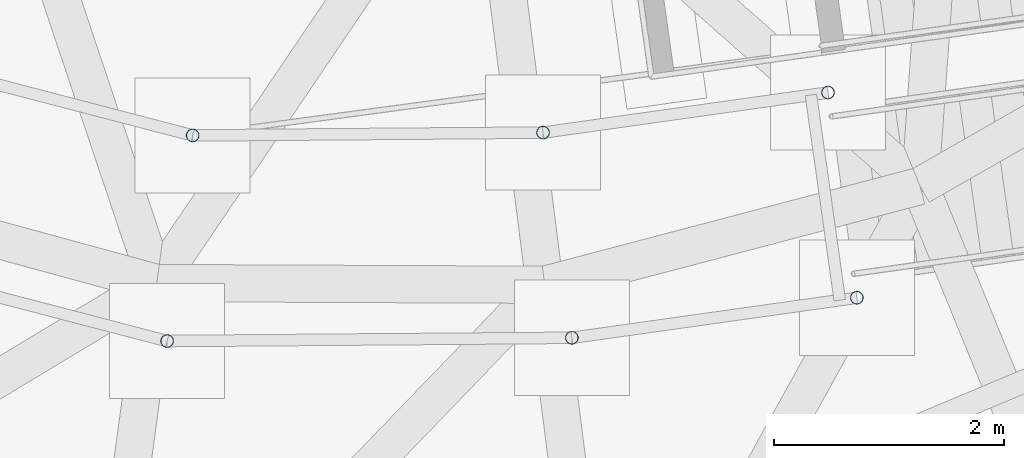
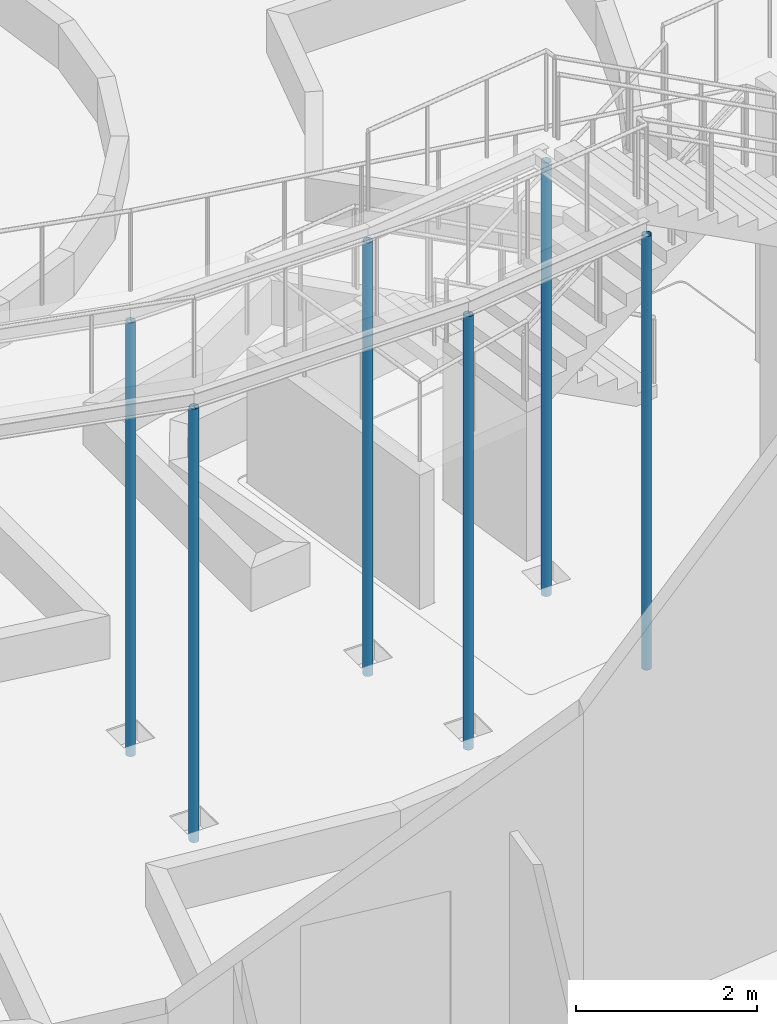
# One storey, part 36 of 226: 6 columns.
"""IFC4 building model written with IfcOpenShell, lengths in metres."""

from ifc_helpers import new_model, si_unit, direction, frame, origin, origin_2d, place, context, subcontext, project, spatial, hollow_circle, extrude, material, material_profile, profile_set, type_object, element, save


model = new_model("IFC4")

# Units and contexts
model_context = context("Model", 3, precision=1e-05, world=origin(), true_north=direction((0.0, 1.0)))
body_context = subcontext(model_context, "Body", "Model", "MODEL_VIEW")
ifc_project = project(units=[si_unit("LENGTHUNIT", "METRE"), si_unit("AREAUNIT", "SQUARE_METRE"), si_unit("VOLUMEUNIT", "CUBIC_METRE"), si_unit("PLANEANGLEUNIT", "RADIAN"), si_unit("MASSUNIT", "GRAM", prefix="KILO")], contexts=[model_context])

# Site, building, storey
site_placement = place(None, origin())
site = spatial("IfcSite", under=ifc_project, at=site_placement, CompositionType="ELEMENT")
building_placement = place(site_placement, origin())
building = spatial("IfcBuilding", under=site, at=building_placement, Name="Ceibo Conservatory and Research Tower", CompositionType="ELEMENT")
storey_placement = place(building_placement, origin())
storey = spatial("IfcBuildingStorey", under=building, at=storey_placement, Name="L00", CompositionType="ELEMENT", Elevation=0.0)

# Columns
ifc_material = material(Name="Steel ASTM A500 Gr C", Category="steel")
ifc_material_profile = material_profile(ifc_material, hollow_circle(Radius=0.05712890625, WallThickness=0.006103515625, at=origin_2d()), Name="CHS column 114.3x6.02")
ifc_profile_set = profile_set([ifc_material_profile], Name="Steel ASTM A500 Gr C")
column_type = type_object("IfcColumnType", Name="CHS column 114.3x6.02", PredefinedType="COLUMN", material=ifc_profile_set)
for number, where, z_axis, x_axis, name in (
    (1, (154.34912109375, 94.7021484375, -0.25), (0.0, 0.0, 1.0), (1.0, 0.0, 0.0), "Walkway column WK-C13O"),
    (2, (154.57080078125, 96.48828125, -0.25), (0.0, 0.0, 1.0), (1.0, 0.0, 0.0), "Walkway column WK-C13I"),
    (3, (157.864990234375, 94.73046875, -0.25), (0.0, 0.0, 1.0), (1.0, 0.0, 0.0), "Walkway column WK-C14O"),
    (4, (157.614501953125, 96.512939453125, -0.25), (0.0, 0.0, 1.0), (1.0, 0.0, 0.0), "Walkway column WK-C14I"),
    (5, (160.340576171875, 95.078369140625, -0.25), (0.0, 0.0, 1.0), (1.0, 0.0, 0.0), "Walkway column WK-P2O"),
    (6, (160.090087890625, 96.86083984375, -0.25), (0.0, 0.0, 1.0), (1.0, 0.0, 0.0), "Walkway column WK-P2I"),
):
    element("IfcColumn", number, at=place(storey_placement, frame(where, z_axis=z_axis, x_axis=x_axis)), inside=storey, type_object=column_type, Name=name, PredefinedType="COLUMN", context=body_context, shape_type="SweptSolid", body=[
        extrude(hollow_circle(Radius=0.05712890625, WallThickness=0.006103515625, at=origin_2d()), origin(), (0.0, 0.0, 1.0), 5.85009765625),
    ])

save(model, "model.ifc")
